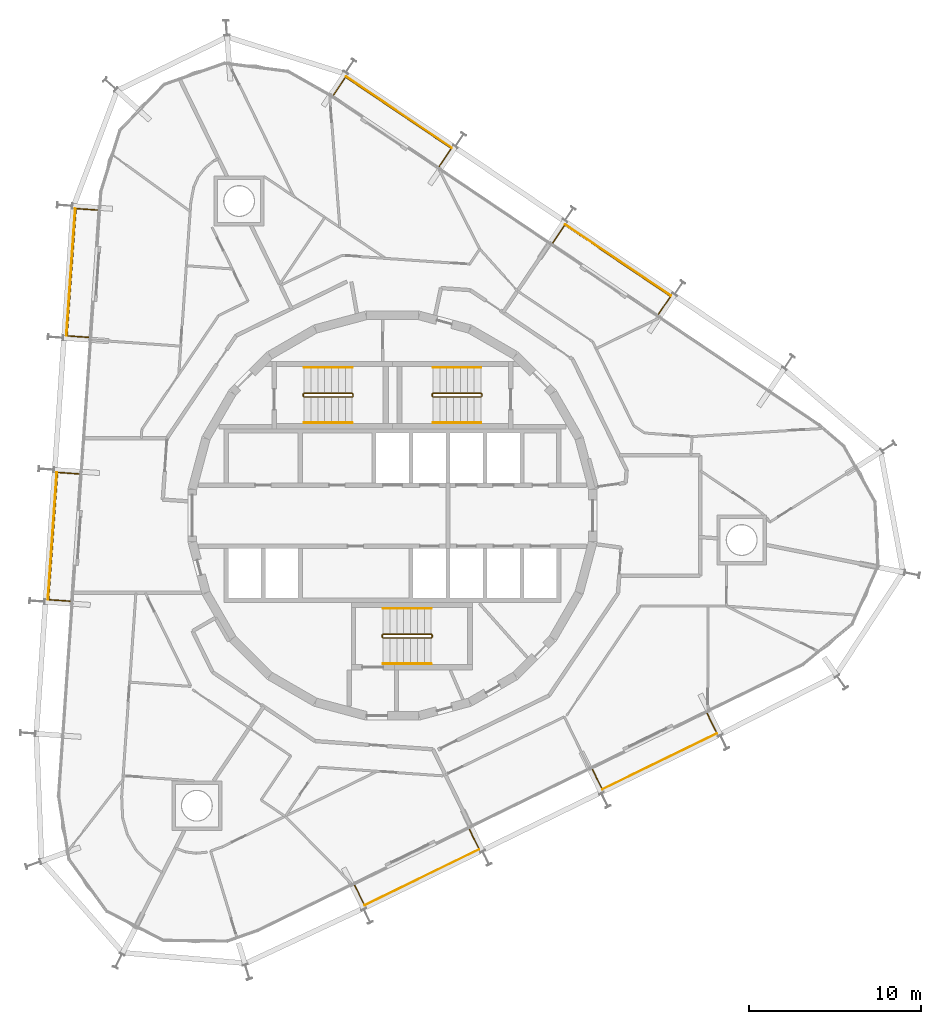
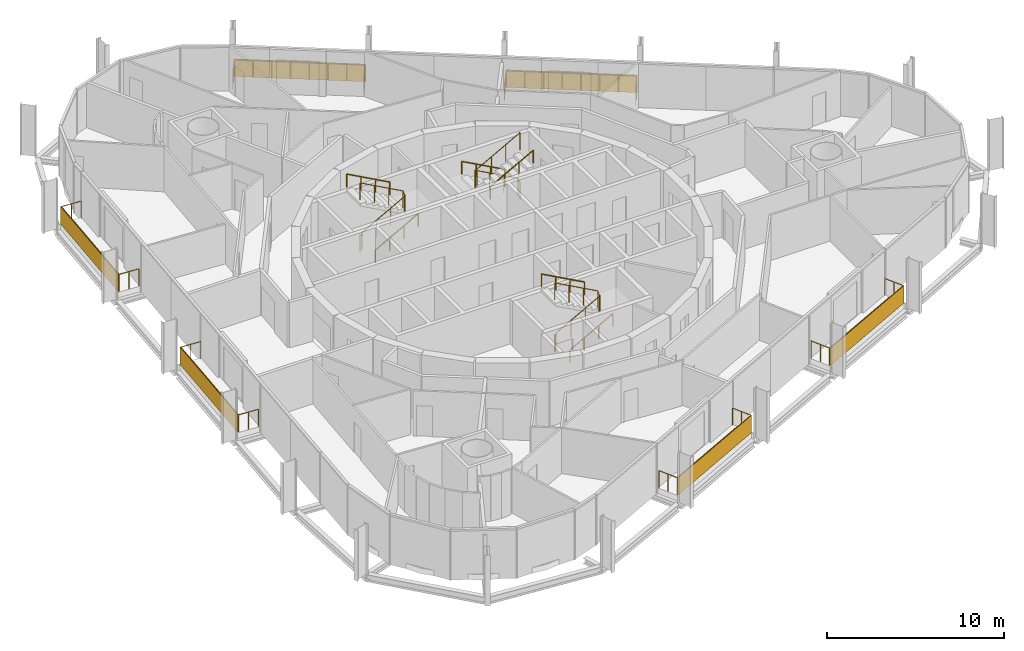
# One storey, part 17 of 17: 15 railings, 6 shading devices.
"""IFC4 building model written with IfcOpenShell, lengths in metres."""

from ifc_helpers import new_model, si_unit, direction, frame, origin, origin_2d, place, context, subcontext, project, spatial, rectangle, circle, extrude, material, layer, layer_set, type_object, element, save


model = new_model("IFC4")

# Units and contexts
model_context = context("Model", 3, precision=1e-05, world=origin(), true_north=direction((0.0, 1.0)))
body_context = subcontext(model_context, "Body", "Model", "MODEL_VIEW")
ifc_project = project(units=[si_unit("LENGTHUNIT", "METRE"), si_unit("AREAUNIT", "SQUARE_METRE"), si_unit("VOLUMEUNIT", "CUBIC_METRE"), si_unit("PLANEANGLEUNIT", "RADIAN"), si_unit("MASSUNIT", "GRAM", prefix="KILO")], contexts=[model_context])

# Site, building, storey
site_placement = place(None, origin())
site = spatial("IfcSite", under=ifc_project, at=site_placement, CompositionType="ELEMENT")
building_placement = place(site_placement, origin())
building = spatial("IfcBuilding", under=site, at=building_placement, Name="Spindle Arch Residences", CompositionType="ELEMENT")
storey_placement = place(building_placement, frame((0.0, 0.0, 209.39990234375)))
storey = spatial("IfcBuildingStorey", under=building, at=storey_placement, Name="L53", CompositionType="ELEMENT", Elevation=209.39990234375)

# Railings
ifc_material_1 = material(Name="Bronze anodised aluminium guard with glass infill", Category="aluminium")
railing_type_1 = type_object("IfcRailingType", Name="Balcony guard 1200", PredefinedType="GUARDRAIL", material=ifc_material_1)
railing_1_placement = place(storey_placement, frame((11.632080078125, -14.76611328125, 0.0)))
element("IfcRailing", 1, at=railing_1_placement, inside=storey, type_object=railing_type_1, Name="Guard L53 bay 1", PredefinedType="GUARDRAIL", context=body_context, shape_type="SweptSolid", body=[
    extrude(circle(Radius=0.02392578125, at=origin_2d()), frame((0.0, 0.0, 1.17578125), z_axis=(0.438362050684, -0.898798482709, 0.0), x_axis=(0.898798482709, 0.438362050684, 0.0)), (0.0, 0.0, 1.0), 1.249755859375),
    extrude(circle(Radius=0.02392578125, at=origin_2d()), frame((0.5478515625, -1.123291015625, 1.17578125), z_axis=(0.898809845561, 0.438338752021, 0.0), x_axis=(-0.438338752021, 0.898809845561, 0.0)), (0.0, 0.0, 1.0), 7.423828125),
    extrude(circle(Radius=0.02392578125, at=origin_2d()), frame((7.220458984375, 2.130859375, 1.17578125), z_axis=(-0.438442870742, 0.898759060647, 0.0), x_axis=(-0.898759060647, -0.438442870742, 0.0)), (0.0, 0.0, 1.0), 1.25),
    extrude(circle(Radius=0.02099609375, at=origin_2d()), origin(), (0.0, 0.0, 1.0), 1.15185546875),
    extrude(circle(Radius=0.02099609375, at=origin_2d()), frame((0.27392578125, -0.5615234375, 0.0)), (0.0, 0.0, 1.0), 1.15185546875),
    extrude(circle(Radius=0.02099609375, at=origin_2d()), frame((0.5478515625, -1.123291015625, 0.0)), (0.0, 0.0, 1.0), 1.15185546875),
    extrude(circle(Radius=0.02099609375, at=origin_2d()), frame((1.5009765625, -0.658447265625, 0.0)), (0.0, 0.0, 1.0), 1.15185546875),
    extrude(circle(Radius=0.02099609375, at=origin_2d()), frame((2.454345703125, -0.193603515625, 0.0)), (0.0, 0.0, 1.0), 1.15185546875),
    extrude(circle(Radius=0.02099609375, at=origin_2d()), frame((3.407470703125, 0.271240234375, 0.0)), (0.0, 0.0, 1.0), 1.15185546875),
    extrude(circle(Radius=0.02099609375, at=origin_2d()), frame((4.36083984375, 0.736328125, 0.0)), (0.0, 0.0, 1.0), 1.15185546875),
    extrude(circle(Radius=0.02099609375, at=origin_2d()), frame((5.31396484375, 1.201171875, 0.0)), (0.0, 0.0, 1.0), 1.15185546875),
    extrude(circle(Radius=0.02099609375, at=origin_2d()), frame((6.267333984375, 1.666015625, 0.0)), (0.0, 0.0, 1.0), 1.15185546875),
    extrude(circle(Radius=0.02099609375, at=origin_2d()), frame((7.220458984375, 2.130859375, 0.0)), (0.0, 0.0, 1.0), 1.15185546875),
    extrude(circle(Radius=0.02099609375, at=origin_2d()), frame((6.9462890625, 2.692626953125, 0.0)), (0.0, 0.0, 1.0), 1.15185546875),
    extrude(circle(Radius=0.02099609375, at=origin_2d()), frame((6.67236328125, 3.25439453125, 0.0)), (0.0, 0.0, 1.0), 1.15185546875),
])
railing_2_placement = place(storey_placement, frame((15.47607421875, 11.72021484375, 0.0)))
element("IfcRailing", 2, at=railing_2_placement, inside=storey, type_object=railing_type_1, Name="Guard L53 bay 7", PredefinedType="GUARDRAIL", context=body_context, shape_type="SweptSolid", body=[
    extrude(circle(Radius=0.02392578125, at=origin_2d()), frame((0.0, 0.0, 1.17578125), z_axis=(0.559288375298, 0.828973167996, 0.0), x_axis=(-0.828973167996, 0.559288375298, 0.0)), (0.0, 0.0, 1.0), 1.250244140625),
    extrude(circle(Radius=0.02392578125, at=origin_2d()), frame((0.69921875, 1.036376953125, 1.17578125), z_axis=(-0.829032773144, 0.559200018824, 0.0), x_axis=(-0.559200018824, -0.829032773144, 0.0)), (0.0, 0.0, 1.0), 7.423828125),
    extrude(circle(Radius=0.02392578125, at=origin_2d()), frame((-5.455322265625, 5.187744140625, 1.17578125), z_axis=(-0.559154156027, -0.829063706718, 0.0), x_axis=(0.829063706718, -0.559154156027, 0.0)), (0.0, 0.0, 1.0), 1.25),
    extrude(circle(Radius=0.02099609375, at=origin_2d()), origin(), (0.0, 0.0, 1.0), 1.15185546875),
    extrude(circle(Radius=0.02099609375, at=origin_2d()), frame((0.349609375, 0.51806640625, 0.0)), (0.0, 0.0, 1.0), 1.15185546875),
    extrude(circle(Radius=0.02099609375, at=origin_2d()), frame((0.69921875, 1.036376953125, 0.0)), (0.0, 0.0, 1.0), 1.15185546875),
    extrude(circle(Radius=0.02099609375, at=origin_2d()), frame((-0.179931640625, 1.62939453125, 0.0)), (0.0, 0.0, 1.0), 1.15185546875),
    extrude(circle(Radius=0.02099609375, at=origin_2d()), frame((-1.059326171875, 2.222412109375, 0.0)), (0.0, 0.0, 1.0), 1.15185546875),
    extrude(circle(Radius=0.02099609375, at=origin_2d()), frame((-1.9384765625, 2.8154296875, 0.0)), (0.0, 0.0, 1.0), 1.15185546875),
    extrude(circle(Radius=0.02099609375, at=origin_2d()), frame((-2.817626953125, 3.40869140625, 0.0)), (0.0, 0.0, 1.0), 1.15185546875),
    extrude(circle(Radius=0.02099609375, at=origin_2d()), frame((-3.69677734375, 4.001708984375, 0.0)), (0.0, 0.0, 1.0), 1.15185546875),
    extrude(circle(Radius=0.02099609375, at=origin_2d()), frame((-4.576171875, 4.5947265625, 0.0)), (0.0, 0.0, 1.0), 1.15185546875),
    extrude(circle(Radius=0.02099609375, at=origin_2d()), frame((-5.455322265625, 5.187744140625, 0.0)), (0.0, 0.0, 1.0), 1.15185546875),
    extrude(circle(Radius=0.02099609375, at=origin_2d()), frame((-5.8046875, 4.66943359375, 0.0)), (0.0, 0.0, 1.0), 1.15185546875),
    extrude(circle(Radius=0.02099609375, at=origin_2d()), frame((-6.154296875, 4.1513671875, 0.0)), (0.0, 0.0, 1.0), 1.15185546875),
])
railing_3_placement = place(storey_placement, frame((2.719482421875, 20.324951171875, 0.0)))
element("IfcRailing", 3, at=railing_3_placement, inside=storey, type_object=railing_type_1, Name="Guard L53 bay 9", PredefinedType="GUARDRAIL", context=body_context, shape_type="SweptSolid", body=[
    extrude(circle(Radius=0.02392578125, at=origin_2d()), frame((0.0, 0.0, 1.17578125), z_axis=(0.559244705098, 0.829002629562, 0.0), x_axis=(-0.829002629562, 0.559244705098, 0.0)), (0.0, 0.0, 1.0), 1.249755859375),
    extrude(circle(Radius=0.02392578125, at=origin_2d()), frame((0.698974609375, 1.0361328125, 1.17578125), z_axis=(-0.829032773144, 0.559200018824, 0.0), x_axis=(-0.559200018824, -0.829032773144, 0.0)), (0.0, 0.0, 1.0), 7.423828125),
    extrude(circle(Radius=0.02392578125, at=origin_2d()), frame((-5.45556640625, 5.1875, 1.17578125), z_axis=(-0.559154156027, -0.829063706718, 0.0), x_axis=(0.829063706718, -0.559154156027, 0.0)), (0.0, 0.0, 1.0), 1.25),
    extrude(circle(Radius=0.02099609375, at=origin_2d()), origin(), (0.0, 0.0, 1.0), 1.15185546875),
    extrude(circle(Radius=0.02099609375, at=origin_2d()), frame((0.349609375, 0.51806640625, 0.0)), (0.0, 0.0, 1.0), 1.15185546875),
    extrude(circle(Radius=0.02099609375, at=origin_2d()), frame((0.698974609375, 1.0361328125, 0.0)), (0.0, 0.0, 1.0), 1.15185546875),
    extrude(circle(Radius=0.02099609375, at=origin_2d()), frame((-0.18017578125, 1.629150390625, 0.0)), (0.0, 0.0, 1.0), 1.15185546875),
    extrude(circle(Radius=0.02099609375, at=origin_2d()), frame((-1.0595703125, 2.22216796875, 0.0)), (0.0, 0.0, 1.0), 1.15185546875),
    extrude(circle(Radius=0.02099609375, at=origin_2d()), frame((-1.938720703125, 2.815185546875, 0.0)), (0.0, 0.0, 1.0), 1.15185546875),
    extrude(circle(Radius=0.02099609375, at=origin_2d()), frame((-2.81787109375, 3.408447265625, 0.0)), (0.0, 0.0, 1.0), 1.15185546875),
    extrude(circle(Radius=0.02099609375, at=origin_2d()), frame((-3.697021484375, 4.00146484375, 0.0)), (0.0, 0.0, 1.0), 1.15185546875),
    extrude(circle(Radius=0.02099609375, at=origin_2d()), frame((-4.576416015625, 4.594482421875, 0.0)), (0.0, 0.0, 1.0), 1.15185546875),
    extrude(circle(Radius=0.02099609375, at=origin_2d()), frame((-5.45556640625, 5.1875, 0.0)), (0.0, 0.0, 1.0), 1.15185546875),
    extrude(circle(Radius=0.02099609375, at=origin_2d()), frame((-5.80517578125, 4.66943359375, 0.0)), (0.0, 0.0, 1.0), 1.15185546875),
    extrude(circle(Radius=0.02099609375, at=origin_2d()), frame((-6.154541015625, 4.151123046875, 0.0)), (0.0, 0.0, 1.0), 1.15185546875),
])
railing_4_placement = place(storey_placement, frame((-17.172607421875, 17.77587890625, 0.0)))
element("IfcRailing", 4, at=railing_4_placement, inside=storey, type_object=railing_type_1, Name="Guard L53 bay 13", PredefinedType="GUARDRAIL", context=body_context, shape_type="SweptSolid", body=[
    extrude(circle(Radius=0.02392578125, at=origin_2d()), frame((0.0, 0.0, 1.17578125), z_axis=(-0.997566579437, 0.069720295391, 0.0), x_axis=(-0.069720295391, -0.997566579437, 0.0)), (0.0, 0.0, 1.0), 1.25),
    extrude(circle(Radius=0.02392578125, at=origin_2d()), frame((-1.2470703125, 0.087158203125, 1.17578125), z_axis=(-0.069753528744, -0.99756425619, 0.0), x_axis=(0.99756425619, -0.069753528744, 0.0)), (0.0, 0.0, 1.0), 7.423583984375),
    extrude(circle(Radius=0.02392578125, at=origin_2d()), frame((-1.764892578125, -7.318359375, 1.17578125), z_axis=(0.997566579437, -0.069720295391, 0.0), x_axis=(0.069720295391, 0.997566579437, 0.0)), (0.0, 0.0, 1.0), 1.25),
    extrude(circle(Radius=0.02099609375, at=origin_2d()), origin(), (0.0, 0.0, 1.0), 1.15185546875),
    extrude(circle(Radius=0.02099609375, at=origin_2d()), frame((-0.62353515625, 0.04345703125, 0.0)), (0.0, 0.0, 1.0), 1.15185546875),
    extrude(circle(Radius=0.02099609375, at=origin_2d()), frame((-1.2470703125, 0.087158203125, 0.0)), (0.0, 0.0, 1.0), 1.15185546875),
    extrude(circle(Radius=0.02099609375, at=origin_2d()), frame((-1.321044921875, -0.970703125, 0.0)), (0.0, 0.0, 1.0), 1.15185546875),
    extrude(circle(Radius=0.02099609375, at=origin_2d()), frame((-1.39501953125, -2.02880859375, 0.0)), (0.0, 0.0, 1.0), 1.15185546875),
    extrude(circle(Radius=0.02099609375, at=origin_2d()), frame((-1.468994140625, -3.086669921875, 0.0)), (0.0, 0.0, 1.0), 1.15185546875),
    extrude(circle(Radius=0.02099609375, at=origin_2d()), frame((-1.54296875, -4.14453125, 0.0)), (0.0, 0.0, 1.0), 1.15185546875),
    extrude(circle(Radius=0.02099609375, at=origin_2d()), frame((-1.616943359375, -5.202392578125, 0.0)), (0.0, 0.0, 1.0), 1.15185546875),
    extrude(circle(Radius=0.02099609375, at=origin_2d()), frame((-1.69091796875, -6.260498046875, 0.0)), (0.0, 0.0, 1.0), 1.15185546875),
    extrude(circle(Radius=0.02099609375, at=origin_2d()), frame((-1.764892578125, -7.318359375, 0.0)), (0.0, 0.0, 1.0), 1.15185546875),
    extrude(circle(Radius=0.02099609375, at=origin_2d()), frame((-1.141357421875, -7.36181640625, 0.0)), (0.0, 0.0, 1.0), 1.15185546875),
    extrude(circle(Radius=0.02099609375, at=origin_2d()), frame((-0.517822265625, -7.405517578125, 0.0)), (0.0, 0.0, 1.0), 1.15185546875),
])
railing_5_placement = place(storey_placement, frame((-18.24609375, 2.426025390625, 0.0)))
element("IfcRailing", 5, at=railing_5_placement, inside=storey, type_object=railing_type_1, Name="Guard L53 bay 15", PredefinedType="GUARDRAIL", context=body_context, shape_type="SweptSolid", body=[
    extrude(circle(Radius=0.02392578125, at=origin_2d()), frame((0.0, 0.0, 1.17578125), z_axis=(-0.997565629847, 0.069733880919, 0.0), x_axis=(-0.069733880919, -0.997565629847, 0.0)), (0.0, 0.0, 1.0), 1.249755859375),
    extrude(circle(Radius=0.02392578125, at=origin_2d()), frame((-1.246826171875, 0.087158203125, 1.17578125), z_axis=(-0.069751240415, -0.997564416196, 0.0), x_axis=(0.997564416196, -0.069751240415, 0.0)), (0.0, 0.0, 1.0), 7.423828125),
    extrude(circle(Radius=0.02392578125, at=origin_2d()), frame((-1.7646484375, -7.318603515625, 1.17578125), z_axis=(0.997565629847, -0.069733880919, 0.0), x_axis=(0.069733880919, 0.997565629847, 0.0)), (0.0, 0.0, 1.0), 1.249755859375),
    extrude(circle(Radius=0.02099609375, at=origin_2d()), origin(), (0.0, 0.0, 1.0), 1.15185546875),
    extrude(circle(Radius=0.02099609375, at=origin_2d()), frame((-0.62353515625, 0.04345703125, 0.0)), (0.0, 0.0, 1.0), 1.15185546875),
    extrude(circle(Radius=0.02099609375, at=origin_2d()), frame((-1.246826171875, 0.087158203125, 0.0)), (0.0, 0.0, 1.0), 1.15185546875),
    extrude(circle(Radius=0.02099609375, at=origin_2d()), frame((-1.32080078125, -0.970703125, 0.0)), (0.0, 0.0, 1.0), 1.15185546875),
    extrude(circle(Radius=0.02099609375, at=origin_2d()), frame((-1.394775390625, -2.02880859375, 0.0)), (0.0, 0.0, 1.0), 1.15185546875),
    extrude(circle(Radius=0.02099609375, at=origin_2d()), frame((-1.46875, -3.086669921875, 0.0)), (0.0, 0.0, 1.0), 1.15185546875),
    extrude(circle(Radius=0.02099609375, at=origin_2d()), frame((-1.542724609375, -4.144775390625, 0.0)), (0.0, 0.0, 1.0), 1.15185546875),
    extrude(circle(Radius=0.02099609375, at=origin_2d()), frame((-1.61669921875, -5.20263671875, 0.0)), (0.0, 0.0, 1.0), 1.15185546875),
    extrude(circle(Radius=0.02099609375, at=origin_2d()), frame((-1.690673828125, -6.2607421875, 0.0)), (0.0, 0.0, 1.0), 1.15185546875),
    extrude(circle(Radius=0.02099609375, at=origin_2d()), frame((-1.7646484375, -7.318603515625, 0.0)), (0.0, 0.0, 1.0), 1.15185546875),
    extrude(circle(Radius=0.02099609375, at=origin_2d()), frame((-1.14111328125, -7.3623046875, 0.0)), (0.0, 0.0, 1.0), 1.15185546875),
    extrude(circle(Radius=0.02099609375, at=origin_2d()), frame((-0.517822265625, -7.40576171875, 0.0)), (0.0, 0.0, 1.0), 1.15185546875),
])
railing_6_placement = place(storey_placement, frame((-2.197998046875, -21.511474609375, 0.0)))
element("IfcRailing", 6, at=railing_6_placement, inside=storey, type_object=railing_type_1, Name="Guard L53 bay 21", PredefinedType="GUARDRAIL", context=body_context, shape_type="SweptSolid", body=[
    extrude(circle(Radius=0.02392578125, at=origin_2d()), frame((0.0, 0.0, 1.17578125), z_axis=(0.438285095444, -0.898836011245, 0.0), x_axis=(0.898836011245, 0.438285095444, 0.0)), (0.0, 0.0, 1.0), 1.25),
    extrude(circle(Radius=0.02392578125, at=origin_2d()), frame((0.5478515625, -1.12353515625, 1.17578125), z_axis=(0.898790569069, 0.438378276096, 0.0), x_axis=(-0.438378276096, 0.898790569069, 0.0)), (0.0, 0.0, 1.0), 7.423828125),
    extrude(circle(Radius=0.02392578125, at=origin_2d()), frame((7.22021484375, 2.130859375, 1.17578125), z_axis=(-0.438285095444, 0.898836011245, 0.0), x_axis=(-0.898836011245, -0.438285095444, 0.0)), (0.0, 0.0, 1.0), 1.25),
    extrude(circle(Radius=0.02099609375, at=origin_2d()), origin(), (0.0, 0.0, 1.0), 1.15185546875),
    extrude(circle(Radius=0.02099609375, at=origin_2d()), frame((0.27392578125, -0.561767578125, 0.0)), (0.0, 0.0, 1.0), 1.15185546875),
    extrude(circle(Radius=0.02099609375, at=origin_2d()), frame((0.5478515625, -1.12353515625, 0.0)), (0.0, 0.0, 1.0), 1.15185546875),
    extrude(circle(Radius=0.02099609375, at=origin_2d()), frame((1.5009765625, -0.65869140625, 0.0)), (0.0, 0.0, 1.0), 1.15185546875),
    extrude(circle(Radius=0.02099609375, at=origin_2d()), frame((2.454345703125, -0.193603515625, 0.0)), (0.0, 0.0, 1.0), 1.15185546875),
    extrude(circle(Radius=0.02099609375, at=origin_2d()), frame((3.407470703125, 0.271240234375, 0.0)), (0.0, 0.0, 1.0), 1.15185546875),
    extrude(circle(Radius=0.02099609375, at=origin_2d()), frame((4.360595703125, 0.736083984375, 0.0)), (0.0, 0.0, 1.0), 1.15185546875),
    extrude(circle(Radius=0.02099609375, at=origin_2d()), frame((5.313720703125, 1.200927734375, 0.0)), (0.0, 0.0, 1.0), 1.15185546875),
    extrude(circle(Radius=0.02099609375, at=origin_2d()), frame((6.26708984375, 1.666015625, 0.0)), (0.0, 0.0, 1.0), 1.15185546875),
    extrude(circle(Radius=0.02099609375, at=origin_2d()), frame((7.22021484375, 2.130859375, 0.0)), (0.0, 0.0, 1.0), 1.15185546875),
    extrude(circle(Radius=0.02099609375, at=origin_2d()), frame((6.9462890625, 2.692626953125, 0.0)), (0.0, 0.0, 1.0), 1.15185546875),
    extrude(circle(Radius=0.02099609375, at=origin_2d()), frame((6.67236328125, 3.25439453125, 0.0)), (0.0, 0.0, 1.0), 1.15185546875),
])

# Shading devices
ifc_material_2 = material(Name="Bronze perforated cobogo screen")
ifc_layer = layer(ifc_material_2, 0.0390625)
ifc_layer_set = layer_set([ifc_layer], Name="Cobogo screen 1200")
shading_device_type = type_object("IfcShadingDeviceType", Name="Cobogo screen 1200", PredefinedType="USERDEFINED", material=ifc_layer_set)
for number, where, z_axis, x_axis, name in (
    (7, (15.533935546875, -14.298828125, 0.0), (0.0, 0.0, 1.0), (0.898794046299, 0.438371146789, 0.0), "Cobogo screen L53 bay 1"),
    (8, (13.12060546875, 14.86572265625, 0.0), (0.0, 0.0, 1.0), (-0.829037572555, 0.559192903471, 0.0), "Cobogo screen L53 bay 7"),
    (9, (0.36376953125, 23.470458984375, 0.0), (0.0, 0.0, 1.0), (-0.829037572555, 0.559192903471, 0.0), "Cobogo screen L53 bay 9"),
    (10, (-18.718994140625, 14.1630859375, 0.0), (0.0, 0.0, 1.0), (-0.069756473744, -0.99756405026, 0.0), "Cobogo screen L53 bay 13"),
    (11, (-19.792236328125, -1.186767578125, 0.0), (0.0, 0.0, 1.0), (-0.069756473744, -0.99756405026, 0.0), "Cobogo screen L53 bay 15"),
    (12, (1.703857421875, -21.044189453125, 0.0), (0.0, 0.0, 1.0), (0.898794046299, 0.438371146789, 0.0), "Cobogo screen L53 bay 21"),
):
    element("IfcShadingDevice", number, at=place(storey_placement, frame(where, z_axis=z_axis, x_axis=x_axis)), inside=storey, type_object=shading_device_type, Name=name, ObjectType="SCREEN", PredefinedType="USERDEFINED", context=body_context, shape_type="SweptSolid", body=[
        extrude(rectangle(XDim=7.423828125, YDim=0.0390625, at=origin_2d()), origin(), (0.0, 0.0, 1.0), 1.199951171875),
    ])

# Railings
ifc_material_3 = material(Name="Steel, painted", Category="steel")
railing_type_2 = type_object("IfcRailingType", Name="Stair guard 1100", PredefinedType="GUARDRAIL", material=ifc_material_3)
railing_7_placement = place(storey_placement, frame((5.14990234375, 6.89990234375, 3.5)))
element("IfcRailing", 13, at=railing_7_placement, inside=storey, type_object=railing_type_2, Name="L53 ST1 stair guard 1", PredefinedType="GUARDRAIL", context=body_context, shape_type="SweptSolid", body=[
    extrude(circle(Radius=0.02392578125, at=origin_2d()), frame((0.0, 0.0, 1.17578125), z_axis=(-0.877357048833, 0.0, -0.479838106931), x_axis=(0.0, -1.0, 0.0)), (0.0, 0.0, 1.0), 3.191162109375),
    extrude(circle(Radius=0.02392578125, at=origin_2d()), frame((-2.7998046875, 0.0, -0.35546875), z_axis=(-0.217683172539, 0.217683172539, -0.951434744366), x_axis=(-0.707106781187, -0.707106781187, 0.0)), (0.0, 0.0, 1.0), 0.22998046875),
    extrude(circle(Radius=0.02392578125, at=origin_2d()), frame((-2.849853515625, 0.050048828125, -0.57421875), z_axis=(0.0, 1.0, 0.0), x_axis=(-1.0, 0.0, 0.0)), (0.0, 0.0, 1.0), 0.1201171875),
    extrude(circle(Radius=0.02392578125, at=origin_2d()), frame((-2.849853515625, 0.170166015625, -0.57421875), z_axis=(0.707106781187, 0.707106781187, 0.0), x_axis=(-0.707106781187, 0.707106781187, 0.0)), (0.0, 0.0, 1.0), 0.07080078125),
    extrude(circle(Radius=0.02392578125, at=origin_2d()), frame((-2.7998046875, 0.22021484375, -0.57421875), z_axis=(0.877357048833, 0.0, -0.479838106931), x_axis=(0.0, 1.0, 0.0)), (0.0, 0.0, 1.0), 3.191162109375),
    extrude(circle(Radius=0.02392578125, at=origin_2d()), frame((0.0, 0.22021484375, -2.10546875), z_axis=(0.217683172539, -0.217683172539, -0.951434744366), x_axis=(0.707106781187, 0.707106781187, 0.0)), (0.0, 0.0, 1.0), 0.22998046875),
    extrude(circle(Radius=0.02392578125, at=origin_2d()), frame((0.050048828125, 0.170166015625, -2.32421875), z_axis=(0.0, -1.0, 0.0), x_axis=(1.0, 0.0, 0.0)), (0.0, 0.0, 1.0), 0.1201171875),
    extrude(circle(Radius=0.02099609375, at=origin_2d()), origin(), (0.0, 0.0, 1.0), 1.15185546875),
    extrude(circle(Radius=0.02099609375, at=origin_2d()), frame((-0.933349609375, 0.0, -0.510498046875)), (0.0, 0.0, 1.0), 1.15185546875),
    extrude(circle(Radius=0.02099609375, at=origin_2d()), frame((-1.866455078125, 0.0, -1.020751953125)), (0.0, 0.0, 1.0), 1.15185546875),
    extrude(circle(Radius=0.02099609375, at=origin_2d()), frame((-2.7998046875, 0.0, -1.53125)), (0.0, 0.0, 1.0), 1.15185546875),
    extrude(circle(Radius=0.02099609375, at=origin_2d()), frame((-2.849853515625, 0.050048828125, -1.75)), (0.0, 0.0, 1.0), 1.15185546875),
    extrude(circle(Radius=0.02099609375, at=origin_2d()), frame((-2.849853515625, 0.170166015625, -1.75)), (0.0, 0.0, 1.0), 1.15185546875),
    extrude(circle(Radius=0.02099609375, at=origin_2d()), frame((-2.7998046875, 0.22021484375, -1.75)), (0.0, 0.0, 1.0), 1.15185546875),
    extrude(circle(Radius=0.02099609375, at=origin_2d()), frame((-1.866455078125, 0.22021484375, -2.260498046875)), (0.0, 0.0, 1.0), 1.15185546875),
    extrude(circle(Radius=0.02099609375, at=origin_2d()), frame((-0.933349609375, 0.22021484375, -2.770751953125)), (0.0, 0.0, 1.0), 1.15185546875),
    extrude(circle(Radius=0.02099609375, at=origin_2d()), frame((0.0, 0.22021484375, -3.28125)), (0.0, 0.0, 1.0), 1.15185546875),
    extrude(circle(Radius=0.02099609375, at=origin_2d()), frame((0.050048828125, 0.170166015625, -3.5)), (0.0, 0.0, 1.0), 1.15185546875),
    extrude(circle(Radius=0.02099609375, at=origin_2d()), frame((0.050048828125, 0.050048828125, -3.5)), (0.0, 0.0, 1.0), 1.15185546875),
])
railing_8_placement = place(storey_placement, frame((-5.14990234375, 7.1201171875, 3.5)))
element("IfcRailing", 14, at=railing_8_placement, inside=storey, type_object=railing_type_2, Name="L53 ST2 stair guard 1", PredefinedType="GUARDRAIL", context=body_context, shape_type="SweptSolid", body=[
    extrude(circle(Radius=0.02392578125, at=origin_2d()), frame((0.0, 0.0, 1.17578125), z_axis=(0.877357048833, 0.0, -0.479838106931), x_axis=(0.0, 1.0, 0.0)), (0.0, 0.0, 1.0), 3.191162109375),
    extrude(circle(Radius=0.02392578125, at=origin_2d()), frame((2.7998046875, 0.0, -0.35546875), z_axis=(0.217683172539, -0.217683172539, -0.951434744366), x_axis=(0.707106781187, 0.707106781187, 0.0)), (0.0, 0.0, 1.0), 0.22998046875),
    extrude(circle(Radius=0.02392578125, at=origin_2d()), frame((2.849853515625, -0.050048828125, -0.57421875), z_axis=(0.0, -1.0, 0.0), x_axis=(1.0, 0.0, 0.0)), (0.0, 0.0, 1.0), 0.1201171875),
    extrude(circle(Radius=0.02392578125, at=origin_2d()), frame((2.849853515625, -0.170166015625, -0.57421875), z_axis=(-0.707106781187, -0.707106781187, 0.0), x_axis=(0.707106781187, -0.707106781187, 0.0)), (0.0, 0.0, 1.0), 0.07080078125),
    extrude(circle(Radius=0.02392578125, at=origin_2d()), frame((2.7998046875, -0.22021484375, -0.57421875), z_axis=(-0.877357048833, 0.0, -0.479838106931), x_axis=(0.0, -1.0, 0.0)), (0.0, 0.0, 1.0), 3.191162109375),
    extrude(circle(Radius=0.02392578125, at=origin_2d()), frame((0.0, -0.22021484375, -2.10546875), z_axis=(-0.217683172539, 0.217683172539, -0.951434744366), x_axis=(-0.707106781187, -0.707106781187, 0.0)), (0.0, 0.0, 1.0), 0.22998046875),
    extrude(circle(Radius=0.02392578125, at=origin_2d()), frame((-0.050048828125, -0.170166015625, -2.32421875), z_axis=(0.0, 1.0, 0.0), x_axis=(-1.0, 0.0, 0.0)), (0.0, 0.0, 1.0), 0.1201171875),
    extrude(circle(Radius=0.02099609375, at=origin_2d()), origin(), (0.0, 0.0, 1.0), 1.15185546875),
    extrude(circle(Radius=0.02099609375, at=origin_2d()), frame((0.933349609375, 0.0, -0.510498046875)), (0.0, 0.0, 1.0), 1.15185546875),
    extrude(circle(Radius=0.02099609375, at=origin_2d()), frame((1.866455078125, 0.0, -1.020751953125)), (0.0, 0.0, 1.0), 1.15185546875),
    extrude(circle(Radius=0.02099609375, at=origin_2d()), frame((2.7998046875, 0.0, -1.53125)), (0.0, 0.0, 1.0), 1.15185546875),
    extrude(circle(Radius=0.02099609375, at=origin_2d()), frame((2.849853515625, -0.050048828125, -1.75)), (0.0, 0.0, 1.0), 1.15185546875),
    extrude(circle(Radius=0.02099609375, at=origin_2d()), frame((2.849853515625, -0.170166015625, -1.75)), (0.0, 0.0, 1.0), 1.15185546875),
    extrude(circle(Radius=0.02099609375, at=origin_2d()), frame((2.7998046875, -0.22021484375, -1.75)), (0.0, 0.0, 1.0), 1.15185546875),
    extrude(circle(Radius=0.02099609375, at=origin_2d()), frame((1.866455078125, -0.22021484375, -2.260498046875)), (0.0, 0.0, 1.0), 1.15185546875),
    extrude(circle(Radius=0.02099609375, at=origin_2d()), frame((0.933349609375, -0.22021484375, -2.770751953125)), (0.0, 0.0, 1.0), 1.15185546875),
    extrude(circle(Radius=0.02099609375, at=origin_2d()), frame((0.0, -0.22021484375, -3.28125)), (0.0, 0.0, 1.0), 1.15185546875),
    extrude(circle(Radius=0.02099609375, at=origin_2d()), frame((-0.050048828125, -0.170166015625, -3.5)), (0.0, 0.0, 1.0), 1.15185546875),
    extrude(circle(Radius=0.02099609375, at=origin_2d()), frame((-0.050048828125, -0.050048828125, -3.5)), (0.0, 0.0, 1.0), 1.15185546875),
])
railing_9_placement = place(storey_placement, frame((-0.550048828125, -6.89990234375, 3.5)))
element("IfcRailing", 15, at=railing_9_placement, inside=storey, type_object=railing_type_2, Name="L53 ST3 stair guard 1", PredefinedType="GUARDRAIL", context=body_context, shape_type="SweptSolid", body=[
    extrude(circle(Radius=0.02392578125, at=origin_2d()), frame((0.0, 0.0, 1.17578125), z_axis=(0.877374661878, 0.0, -0.479805901063), x_axis=(0.0, 1.0, 0.0)), (0.0, 0.0, 1.0), 3.19140625),
    extrude(circle(Radius=0.02392578125, at=origin_2d()), frame((2.800048828125, 0.0, -0.35546875), z_axis=(0.217683172539, -0.217683172539, -0.951434744366), x_axis=(0.707106781187, 0.707106781187, 0.0)), (0.0, 0.0, 1.0), 0.22998046875),
    extrude(circle(Radius=0.02392578125, at=origin_2d()), frame((2.85009765625, -0.050048828125, -0.57421875), z_axis=(0.0, -1.0, 0.0), x_axis=(1.0, 0.0, 0.0)), (0.0, 0.0, 1.0), 0.1201171875),
    extrude(circle(Radius=0.02392578125, at=origin_2d()), frame((2.85009765625, -0.170166015625, -0.57421875), z_axis=(-0.707106781187, -0.707106781187, 0.0), x_axis=(0.707106781187, -0.707106781187, 0.0)), (0.0, 0.0, 1.0), 0.07080078125),
    extrude(circle(Radius=0.02392578125, at=origin_2d()), frame((2.800048828125, -0.22021484375, -0.57421875), z_axis=(-0.877374661878, 0.0, -0.479805901063), x_axis=(0.0, -1.0, 0.0)), (0.0, 0.0, 1.0), 3.19140625),
    extrude(circle(Radius=0.02392578125, at=origin_2d()), frame((0.0, -0.22021484375, -2.10546875), z_axis=(-0.217683172539, 0.217683172539, -0.951434744366), x_axis=(-0.707106781187, -0.707106781187, 0.0)), (0.0, 0.0, 1.0), 0.22998046875),
    extrude(circle(Radius=0.02392578125, at=origin_2d()), frame((-0.050048828125, -0.170166015625, -2.32421875), z_axis=(0.0, 1.0, 0.0), x_axis=(-1.0, 0.0, 0.0)), (0.0, 0.0, 1.0), 0.1201171875),
    extrude(circle(Radius=0.02099609375, at=origin_2d()), origin(), (0.0, 0.0, 1.0), 1.15185546875),
    extrude(circle(Radius=0.02099609375, at=origin_2d()), frame((0.933349609375, 0.0, -0.510498046875)), (0.0, 0.0, 1.0), 1.15185546875),
    extrude(circle(Radius=0.02099609375, at=origin_2d()), frame((1.86669921875, 0.0, -1.020751953125)), (0.0, 0.0, 1.0), 1.15185546875),
    extrude(circle(Radius=0.02099609375, at=origin_2d()), frame((2.800048828125, 0.0, -1.53125)), (0.0, 0.0, 1.0), 1.15185546875),
    extrude(circle(Radius=0.02099609375, at=origin_2d()), frame((2.85009765625, -0.050048828125, -1.75)), (0.0, 0.0, 1.0), 1.15185546875),
    extrude(circle(Radius=0.02099609375, at=origin_2d()), frame((2.85009765625, -0.170166015625, -1.75)), (0.0, 0.0, 1.0), 1.15185546875),
    extrude(circle(Radius=0.02099609375, at=origin_2d()), frame((2.800048828125, -0.22021484375, -1.75)), (0.0, 0.0, 1.0), 1.15185546875),
    extrude(circle(Radius=0.02099609375, at=origin_2d()), frame((1.86669921875, -0.22021484375, -2.260498046875)), (0.0, 0.0, 1.0), 1.15185546875),
    extrude(circle(Radius=0.02099609375, at=origin_2d()), frame((0.933349609375, -0.22021484375, -2.770751953125)), (0.0, 0.0, 1.0), 1.15185546875),
    extrude(circle(Radius=0.02099609375, at=origin_2d()), frame((0.0, -0.22021484375, -3.28125)), (0.0, 0.0, 1.0), 1.15185546875),
    extrude(circle(Radius=0.02099609375, at=origin_2d()), frame((-0.050048828125, -0.170166015625, -3.5)), (0.0, 0.0, 1.0), 1.15185546875),
    extrude(circle(Radius=0.02099609375, at=origin_2d()), frame((-0.050048828125, -0.050048828125, -3.5)), (0.0, 0.0, 1.0), 1.15185546875),
])
ifc_material_4 = material(Name="Steel, painted", Category="steel")
railing_type_3 = type_object("IfcRailingType", Name="Stair handrail 900", PredefinedType="HANDRAIL", material=ifc_material_4)
railing_10_placement = place(storey_placement, frame((5.14990234375, 8.6201171875, 0.21875)))
element("IfcRailing", 16, at=railing_10_placement, inside=storey, type_object=railing_type_3, Name="L53 ST1 stair handrail 1", PredefinedType="HANDRAIL", context=body_context, shape_type="SweptSolid", body=[
    extrude(circle(Radius=0.02392578125, at=origin_2d()), frame((0.0, 0.0, 0.8759765625), z_axis=(-0.877357048833, 0.0, 0.479838106931), x_axis=(0.0, -1.0, 0.0)), (0.0, 0.0, 1.0), 3.191162109375),
    extrude(circle(Radius=0.02099609375, at=origin_2d()), origin(), (0.0, 0.0, 1.0), 0.851806640625),
    extrude(circle(Radius=0.02099609375, at=origin_2d()), frame((-0.933349609375, 0.0, 0.510498046875)), (0.0, 0.0, 1.0), 0.851806640625),
    extrude(circle(Radius=0.02099609375, at=origin_2d()), frame((-1.866455078125, 0.0, 1.020751953125)), (0.0, 0.0, 1.0), 0.851806640625),
    extrude(circle(Radius=0.02099609375, at=origin_2d()), frame((-2.7998046875, 0.0, 1.53125)), (0.0, 0.0, 1.0), 0.851806640625),
])
for number, where, name in (
    (17, (2.35009765625, 5.39990234375, 1.96875), "L53 ST1 stair handrail 2"),
    (18, (-5.14990234375, 5.39990234375, 0.21875), "L53 ST2 stair handrail 1"),
):
    element("IfcRailing", number, at=place(storey_placement, frame(where)), inside=storey, type_object=railing_type_3, Name=name, PredefinedType="HANDRAIL", context=body_context, shape_type="SweptSolid", body=[
        extrude(circle(Radius=0.02392578125, at=origin_2d()), frame((0.0, 0.0, 0.8759765625), z_axis=(0.877357048833, 0.0, 0.479838106931), x_axis=(0.0, 1.0, 0.0)), (0.0, 0.0, 1.0), 3.191162109375),
        extrude(circle(Radius=0.02099609375, at=origin_2d()), origin(), (0.0, 0.0, 1.0), 0.851806640625),
        extrude(circle(Radius=0.02099609375, at=origin_2d()), frame((0.933349609375, 0.0, 0.510498046875)), (0.0, 0.0, 1.0), 0.851806640625),
        extrude(circle(Radius=0.02099609375, at=origin_2d()), frame((1.866455078125, 0.0, 1.020751953125)), (0.0, 0.0, 1.0), 0.851806640625),
        extrude(circle(Radius=0.02099609375, at=origin_2d()), frame((2.7998046875, 0.0, 1.53125)), (0.0, 0.0, 1.0), 0.851806640625),
    ])
railing_11_placement = place(storey_placement, frame((-2.35009765625, 8.6201171875, 1.96875)))
element("IfcRailing", 19, at=railing_11_placement, inside=storey, type_object=railing_type_3, Name="L53 ST2 stair handrail 2", PredefinedType="HANDRAIL", context=body_context, shape_type="SweptSolid", body=[
    extrude(circle(Radius=0.02392578125, at=origin_2d()), frame((0.0, 0.0, 0.8759765625), z_axis=(-0.877357048833, 0.0, 0.479838106931), x_axis=(0.0, -1.0, 0.0)), (0.0, 0.0, 1.0), 3.191162109375),
    extrude(circle(Radius=0.02099609375, at=origin_2d()), origin(), (0.0, 0.0, 1.0), 0.851806640625),
    extrude(circle(Radius=0.02099609375, at=origin_2d()), frame((-0.933349609375, 0.0, 0.510498046875)), (0.0, 0.0, 1.0), 0.851806640625),
    extrude(circle(Radius=0.02099609375, at=origin_2d()), frame((-1.866455078125, 0.0, 1.020751953125)), (0.0, 0.0, 1.0), 0.851806640625),
    extrude(circle(Radius=0.02099609375, at=origin_2d()), frame((-2.7998046875, 0.0, 1.53125)), (0.0, 0.0, 1.0), 0.851806640625),
])
railing_12_placement = place(storey_placement, frame((-0.550048828125, -8.6201171875, 0.21875)))
element("IfcRailing", 20, at=railing_12_placement, inside=storey, type_object=railing_type_3, Name="L53 ST3 stair handrail 1", PredefinedType="HANDRAIL", context=body_context, shape_type="SweptSolid", body=[
    extrude(circle(Radius=0.02392578125, at=origin_2d()), frame((0.0, 0.0, 0.8759765625), z_axis=(0.877374661878, 0.0, 0.479805901063), x_axis=(0.0, 1.0, 0.0)), (0.0, 0.0, 1.0), 3.19140625),
    extrude(circle(Radius=0.02099609375, at=origin_2d()), origin(), (0.0, 0.0, 1.0), 0.851806640625),
    extrude(circle(Radius=0.02099609375, at=origin_2d()), frame((0.933349609375, 0.0, 0.510498046875)), (0.0, 0.0, 1.0), 0.851806640625),
    extrude(circle(Radius=0.02099609375, at=origin_2d()), frame((1.86669921875, 0.0, 1.020751953125)), (0.0, 0.0, 1.0), 0.851806640625),
    extrude(circle(Radius=0.02099609375, at=origin_2d()), frame((2.800048828125, 0.0, 1.53125)), (0.0, 0.0, 1.0), 0.851806640625),
])
railing_13_placement = place(storey_placement, frame((2.25, -5.39990234375, 1.96875)))
element("IfcRailing", 21, at=railing_13_placement, inside=storey, type_object=railing_type_3, Name="L53 ST3 stair handrail 2", PredefinedType="HANDRAIL", context=body_context, shape_type="SweptSolid", body=[
    extrude(circle(Radius=0.02392578125, at=origin_2d()), frame((0.0, 0.0, 0.8759765625), z_axis=(-0.877374661878, 0.0, 0.479805901063), x_axis=(0.0, -1.0, 0.0)), (0.0, 0.0, 1.0), 3.19140625),
    extrude(circle(Radius=0.02099609375, at=origin_2d()), origin(), (0.0, 0.0, 1.0), 0.851806640625),
    extrude(circle(Radius=0.02099609375, at=origin_2d()), frame((-0.933349609375, 0.0, 0.510498046875)), (0.0, 0.0, 1.0), 0.851806640625),
    extrude(circle(Radius=0.02099609375, at=origin_2d()), frame((-1.86669921875, 0.0, 1.020751953125)), (0.0, 0.0, 1.0), 0.851806640625),
    extrude(circle(Radius=0.02099609375, at=origin_2d()), frame((-2.800048828125, 0.0, 1.53125)), (0.0, 0.0, 1.0), 0.851806640625),
])

save(model, "model.ifc")
